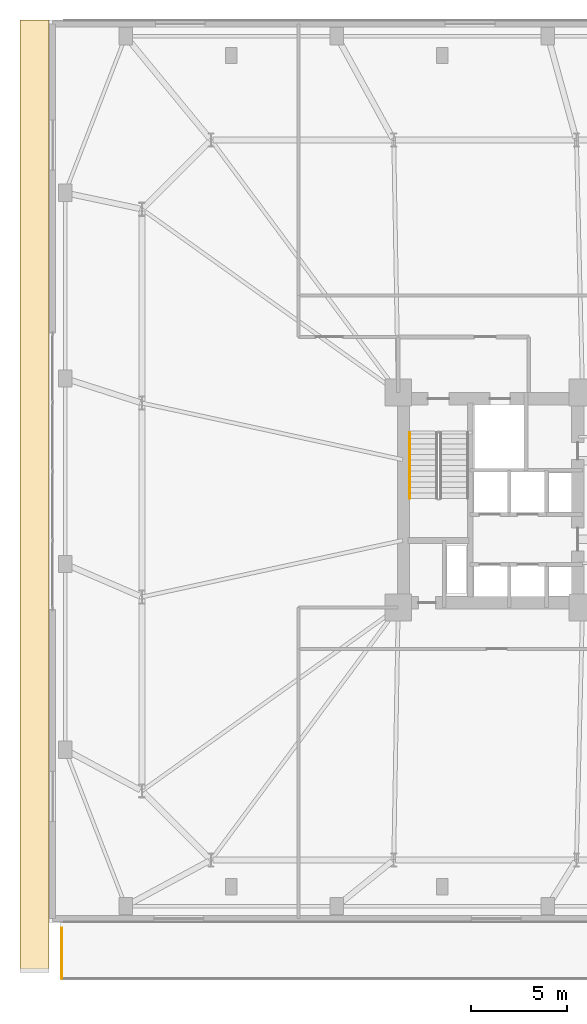
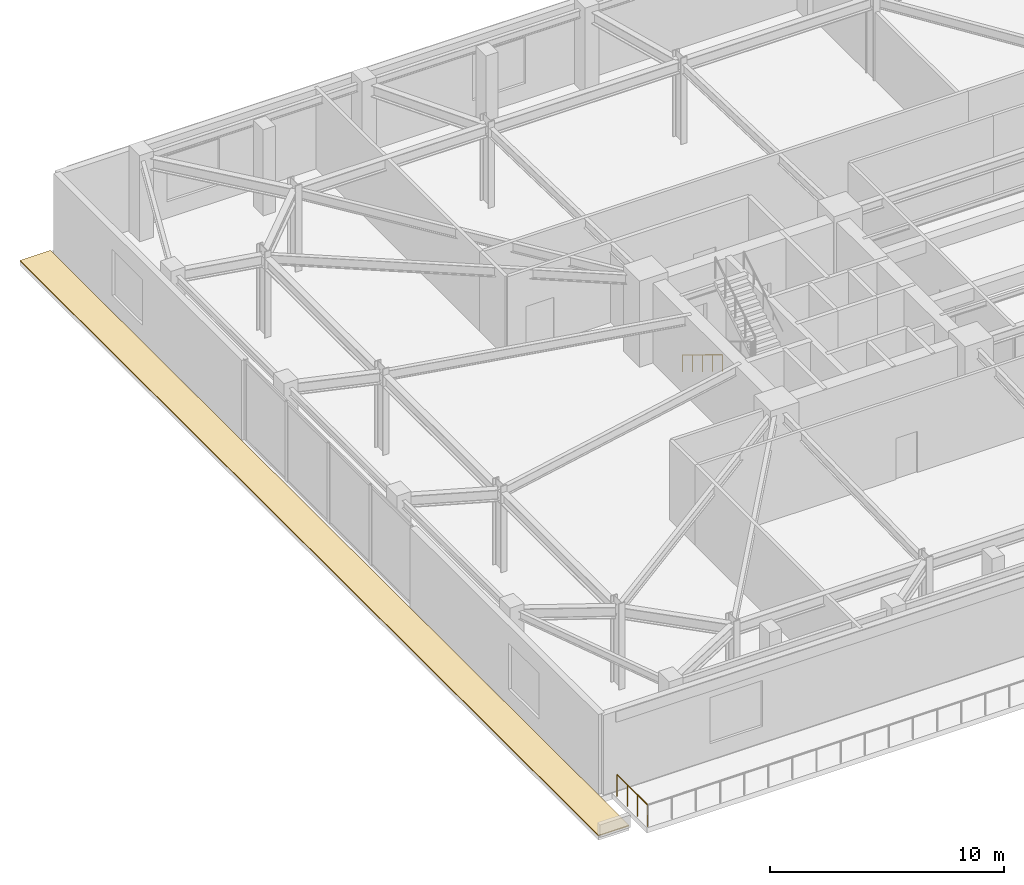
# One storey, part 17 of 21: 2 railings, 1 covering.
"""IFC4 building model written with IfcOpenShell, lengths in metres."""

import ifcopenshell
import ifcopenshell.guid

model = None  # the IFC model being written
_history = None  # IfcOwnerHistory: only IFC2X3 demands one
_inside = {}  # id of a spatial element -> (the spatial element, [elements in it])
_under = {}  # id of a project, library or spatial element -> (it, [spatial elements below it])
_declared = {}  # id of a project -> (the project, [libraries it declares])
_typed = {}  # id of a type object -> (the type object, [elements of that type])
_made_of = {}  # id of a material, layer set ... -> (it, [elements and type objects made of it])


def new_model(schema):
    """Start an empty IFC model of exactly this schema.

    Asked for "IFC4X3", IfcOpenShell would pick the latest addendum, in which some entities
    have other attributes; the version numbers below select the first issue.
    IFC2X3 requires an IfcOwnerHistory on every rooted entity: one is made here for all.
    """
    global model, _history
    if schema == "IFC4X3":
        model = ifcopenshell.file(schema_version=(4, 3, 0, 0))
    else:
        model = ifcopenshell.file(schema=schema)
    _inside.clear()
    _under.clear()
    _declared.clear()
    _typed.clear()
    _made_of.clear()
    _history = None
    if model.schema == "IFC2X3":
        org = make("IfcOrganization", Name="unknown")
        user = make(
            "IfcPersonAndOrganization",
            ThePerson=make("IfcPerson", FamilyName="unknown"),
            TheOrganization=org,
        )
        app = make(
            "IfcApplication",
            ApplicationDeveloper=org,
            Version="unknown",
            ApplicationFullName="unknown",
            ApplicationIdentifier="unknown",
        )
        _history = make(
            "IfcOwnerHistory",
            OwningUser=user,
            OwningApplication=app,
            ChangeAction="ADDED",
            CreationDate=0,
        )
    return model


def make(cls, **values):
    """One entity of the class cls with the attributes given. An attribute that is None is left unset."""
    return model.create_entity(
        cls, **{name: value for name, value in values.items() if value is not None}
    )


def rooted(cls, **values):
    """An entity with a GlobalId (a new one), such as an element, a storey or a relation."""
    return make(cls, GlobalId=ifcopenshell.guid.new(), OwnerHistory=_history, **values)


def si_unit(unit_type, name, prefix=None):
    """IfcSIUnit, for example si_unit("LENGTHUNIT", "METRE", prefix="MILLI")."""
    return make("IfcSIUnit", UnitType=unit_type, Prefix=prefix, Name=name)


def assignment(units):
    """IfcUnitAssignment: the units of a project."""
    return None if units is None else make("IfcUnitAssignment", Units=units)


def point(xyz):
    """IfcCartesianPoint."""
    return None if xyz is None else make("IfcCartesianPoint", Coordinates=xyz)


def direction(xyz):
    """IfcDirection."""
    return None if xyz is None else make("IfcDirection", DirectionRatios=xyz)


def frame(location, z_axis=None, x_axis=None):
    """IfcAxis2Placement3D, a coordinate frame: its origin and axes. An axis left out is left unset."""
    return make(
        "IfcAxis2Placement3D",
        Location=point(location),
        Axis=direction(z_axis),
        RefDirection=direction(x_axis),
    )


def frame_2d(location, x_axis=None):
    """IfcAxis2Placement2D, a coordinate frame in the plane: its origin and x axis."""
    return make(
        "IfcAxis2Placement2D", Location=point(location), RefDirection=direction(x_axis)
    )


def origin():
    """The frame at (0, 0, 0) with its axes left unset."""
    return frame((0.0, 0.0, 0.0))


def origin_2d():
    """The frame at (0, 0) in the plane with its x axis left unset."""
    return frame_2d((0.0, 0.0))


def place(relative_to, where):
    """IfcLocalPlacement: puts the frame where relative to a parent placement (None: the world)."""
    return make(
        "IfcLocalPlacement", PlacementRelTo=relative_to, RelativePlacement=where
    )


def context(
    kind, dimensions, precision=None, world=None, true_north=None, identifier=None
):
    """IfcGeometricRepresentationContext, for example the 3D "Model" context."""
    return make(
        "IfcGeometricRepresentationContext",
        ContextIdentifier=identifier,
        ContextType=kind,
        CoordinateSpaceDimension=dimensions,
        Precision=precision,
        WorldCoordinateSystem=world,
        TrueNorth=true_north,
    )


def subcontext(parent, identifier, kind, view, scale=None):
    """IfcGeometricRepresentationSubContext, for example "Body" below "Model"."""
    return make(
        "IfcGeometricRepresentationSubContext",
        ContextIdentifier=identifier,
        ContextType=kind,
        ParentContext=parent,
        TargetScale=scale,
        TargetView=view,
    )


def project(units=None, contexts=None):
    """IfcProject with its units and contexts."""
    return rooted(
        "IfcProject",
        Name="project",
        RepresentationContexts=contexts,
        UnitsInContext=assignment(units),
    )


def spatial(cls, under=None, at=None, **own):
    """A site, building, storey or space (cls), placed at a placement, below another one or the project."""
    s = rooted(cls, ObjectPlacement=at, **own)
    if under is not None:
        _under.setdefault(under.id(), (under, []))[1].append(s)
    return s


def polyline(points):
    """IfcPolyline through the points."""
    return make("IfcPolyline", Points=[point(p) for p in points])


def profile(cls, at=None, kind="AREA", **sizes):
    """A parametric profile (cls). Its sizes go by their IFC names, for example OverallWidth=200.0."""
    return make(cls, ProfileType=kind, Position=at, **sizes)


def circle(**sizes):
    """IfcCircleProfileDef."""
    return profile("IfcCircleProfileDef", **sizes)


def outline(outer, holes=None, kind="AREA"):
    """IfcArbitraryClosedProfileDef: a profile drawn as a closed curve; with holes, ...WithVoids."""
    if holes is None:
        return make("IfcArbitraryClosedProfileDef", ProfileType=kind, OuterCurve=outer)
    return make(
        "IfcArbitraryProfileDefWithVoids",
        ProfileType=kind,
        OuterCurve=outer,
        InnerCurves=holes,
    )


def extrude(swept, where, along, depth):
    """IfcExtrudedAreaSolid: the profile swept, set in the frame where, extruded along a direction by depth."""
    return make(
        "IfcExtrudedAreaSolid",
        SweptArea=swept,
        Position=where,
        ExtrudedDirection=direction(along),
        Depth=depth,
    )


def shape(context_of_items, identifier, shape_type, items):
    """IfcShapeRepresentation: the items that make up one representation, for example the "Body"."""
    return make(
        "IfcShapeRepresentation",
        ContextOfItems=context_of_items,
        RepresentationIdentifier=identifier,
        RepresentationType=shape_type,
        Items=items,
    )


def material(Name=None, Category=None):
    """IfcMaterial."""
    return make("IfcMaterial", Name=Name, Category=Category)


def layer(
    of_material, thickness, ventilated=None, Name=None, Category=None, Priority=None
):
    """IfcMaterialLayer: one layer of a wall or slab, of a material (None: an air gap)."""
    return make(
        "IfcMaterialLayer",
        Material=of_material,
        LayerThickness=thickness,
        IsVentilated=ventilated,
        Name=Name,
        Category=Category,
        Priority=Priority,
    )


def layer_set(layers, Name=None):
    """IfcMaterialLayerSet."""
    return make("IfcMaterialLayerSet", MaterialLayers=layers, LayerSetName=Name)


def made_of(thing, what):
    """Note that an element or type object is made of a material, layer set ...; save() writes the relation."""
    if what is not None:
        _made_of.setdefault(what.id(), (what, []))[1].append(thing)
    return thing


def type_object(cls, material=None, **own):
    """A type object (cls), such as IfcWallType, which elements share."""
    return made_of(rooted(cls, **own), material)


def element(
    cls,
    number,
    at=None,
    inside=None,
    cuts=None,
    type_object=None,
    material=None,
    context=None,
    identifier="Body",
    shape_type=None,
    held_by="IfcProductDefinitionShape",
    body=None,
    shapes=None,
    **own,
):
    """One element of the class cls, such as IfcWall. Its Tag is "e" and its number.

    at: its placement. inside: the storey or other place that contains it. cuts: it is an
    opening in that element (IfcRelVoidsElement). A single representation is given by context,
    identifier, shape_type and body (its items); several are given by shapes. held_by: the class
    of the entity that holds the representations. save() writes the other relations.
    """
    e = rooted(cls, Tag="e%d" % number, ObjectPlacement=at, **own)
    if body is not None:
        shapes = [shape(context, identifier, shape_type, body)]
    if shapes is not None:
        e.Representation = make(held_by, Representations=shapes)
    if inside is not None:
        _inside.setdefault(inside.id(), (inside, []))[1].append(e)
    if cuts is not None:
        rooted(
            "IfcRelVoidsElement", RelatingBuildingElement=cuts, RelatedOpeningElement=e
        )
    if type_object is not None:
        _typed.setdefault(type_object.id(), (type_object, []))[1].append(e)
    return made_of(e, material)


def aggregate(whole, parts):
    """IfcRelAggregates: a whole, such as a stair, and the parts it consists of."""
    return rooted("IfcRelAggregates", RelatingObject=whole, RelatedObjects=parts)


def save(model, path):
    """Write the relations noted so far, then the file.

    IfcRelAggregates (storeys below a building ...), IfcRelContainedInSpatialStructure (elements
    in a storey), IfcRelDefinesByType, IfcRelAssociatesMaterial and IfcRelDeclares: one each for
    every whole, place, type object, material and project.
    """
    for whole, parts in _under.values():
        aggregate(whole, parts)
    for where, things in _inside.values():
        rooted(
            "IfcRelContainedInSpatialStructure",
            RelatedElements=things,
            RelatingStructure=where,
        )
    for kind, things in _typed.values():
        rooted("IfcRelDefinesByType", RelatedObjects=things, RelatingType=kind)
    for what, things in _made_of.values():
        rooted("IfcRelAssociatesMaterial", RelatedObjects=things, RelatingMaterial=what)
    for by, libraries in _declared.values():
        rooted("IfcRelDeclares", RelatingContext=by, RelatedDefinitions=libraries)
    model.write(path)


model = new_model("IFC4")

# Units and contexts
model_context = context("Model", 3, precision=1e-05, world=origin(), true_north=direction((0.0, 1.0)))
body_context = subcontext(model_context, "Body", "Model", "MODEL_VIEW")
ifc_project = project(units=[si_unit("LENGTHUNIT", "METRE"), si_unit("AREAUNIT", "SQUARE_METRE"), si_unit("VOLUMEUNIT", "CUBIC_METRE"), si_unit("PLANEANGLEUNIT", "RADIAN"), si_unit("MASSUNIT", "GRAM", prefix="KILO")], contexts=[model_context])

# Site, building, storey
site_placement = place(None, origin())
site = spatial("IfcSite", under=ifc_project, at=site_placement, CompositionType="ELEMENT")
building_placement = place(site_placement, origin())
building = spatial("IfcBuilding", under=site, at=building_placement, Name="Qobustan Lattice House", CompositionType="ELEMENT")
storey_placement = place(building_placement, frame((0.0, 0.0, 13.5)))
storey = spatial("IfcBuildingStorey", under=building, at=storey_placement, Name="L03", CompositionType="ELEMENT", Elevation=13.5)

# Covering
ifc_material_1 = material(Name="Insulated stone-ballasted roof membrane", Category="masonry")
ifc_layer = layer(ifc_material_1, 0.050048828125)
ifc_layer_set = layer_set([ifc_layer], Name="Insulated stone-ballasted roof membrane")
covering_type = type_object("IfcCoveringType", Name="COV-ROOF-MEMB", PredefinedType="ROOFING", material=ifc_layer_set)
covering_placement = place(storey_placement, origin())
element("IfcCovering", 1, at=covering_placement, inside=storey, type_object=covering_type, Name="L03 setback roof membrane 1", PredefinedType="ROOFING", context=body_context, shape_type="SweptSolid", body=[
    extrude(outline(polyline([(-38.5, -24.5), (-37.0, -24.5), (-37.0, 25.0), (-38.5, 25.0), (-38.5, -24.5)])), origin(), (0.0, 0.0, 1.0), 0.050048828125),
])

# Railings
ifc_material_2 = material(Name="Brushed stainless steel handrail", Category="steel")
railing_type_1 = type_object("IfcRailingType", Name="RAL-HR-920", PredefinedType="HANDRAIL", material=ifc_material_2)
railing_1_placement = place(storey_placement, frame((-18.199951171875, 3.5, 0.173095703125)))
element("IfcRailing", 2, at=railing_1_placement, inside=storey, type_object=railing_type_1, Name="L03 ST-W1 stair handrail 1", PredefinedType="HANDRAIL", context=body_context, shape_type="SweptSolid", body=[
    extrude(circle(Radius=0.02392578125, at=origin_2d()), frame((0.0, 0.0, 0.8759765625), z_axis=(0.0, -0.854729506542, 0.519073665916), x_axis=(1.0, 0.0, 0.0)), (0.0, 0.0, 1.0), 4.001220703125),
    extrude(circle(Radius=0.02099609375, at=origin_2d()), origin(), (0.0, 0.0, 1.0), 0.851806640625),
    extrude(circle(Radius=0.02099609375, at=origin_2d()), frame((0.0, -0.85498046875, 0.519287109375)), (0.0, 0.0, 1.0), 0.851806640625),
    extrude(circle(Radius=0.02099609375, at=origin_2d()), frame((0.0, -1.7099609375, 1.03857421875)), (0.0, 0.0, 1.0), 0.851806640625),
    extrude(circle(Radius=0.02099609375, at=origin_2d()), frame((0.0, -2.56494140625, 1.5576171875)), (0.0, 0.0, 1.0), 0.851806640625),
    extrude(circle(Radius=0.02099609375, at=origin_2d()), frame((0.0, -3.419921875, 2.076904296875)), (0.0, 0.0, 1.0), 0.851806640625),
])
ifc_material_3 = material(Name="Anodised bronze and laminated glass balustrade", Category="glass")
railing_type_2 = type_object("IfcRailingType", Name="RAL-TERR-1150", PredefinedType="BALUSTRADE", material=ifc_material_3)
railing_2_placement = place(storey_placement, frame((-36.320068359375, -24.919921875, 0.0)))
element("IfcRailing", 3, at=railing_2_placement, inside=storey, type_object=railing_type_2, Name="L03 outdoor terrace balustrade 1", PredefinedType="BALUSTRADE", context=body_context, shape_type="SweptSolid", body=[
    extrude(circle(Radius=0.02392578125, at=origin_2d()), frame((0.0, 0.0, 1.1259765625), z_axis=(0.0, 1.0, 0.0), x_axis=(-1.0, 0.0, 0.0)), (0.0, 0.0, 1.0), 2.619873046875),
    extrude(circle(Radius=0.02099609375, at=origin_2d()), origin(), (0.0, 0.0, 1.0), 1.101806640625),
    extrude(circle(Radius=0.02099609375, at=origin_2d()), frame((0.0, 0.873291015625, 0.0)), (0.0, 0.0, 1.0), 1.101806640625),
    extrude(circle(Radius=0.02099609375, at=origin_2d()), frame((0.0, 1.74658203125, 0.0)), (0.0, 0.0, 1.0), 1.101806640625),
    extrude(circle(Radius=0.02099609375, at=origin_2d()), frame((0.0, 2.619873046875, 0.0)), (0.0, 0.0, 1.0), 1.101806640625),
])

save(model, "model.ifc")
